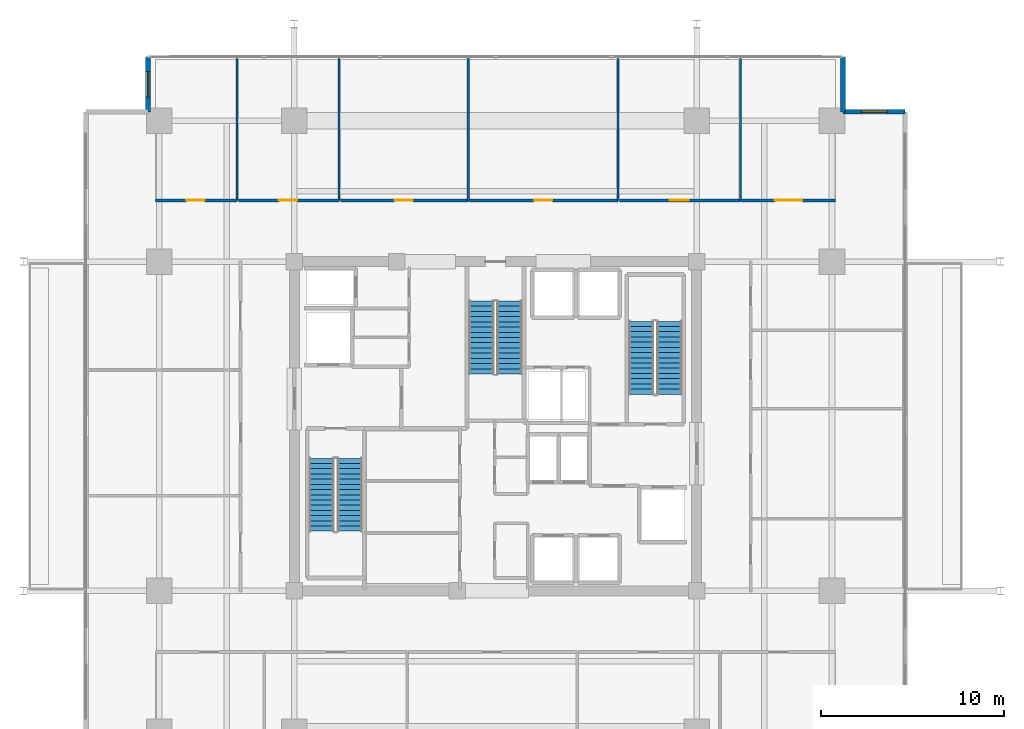
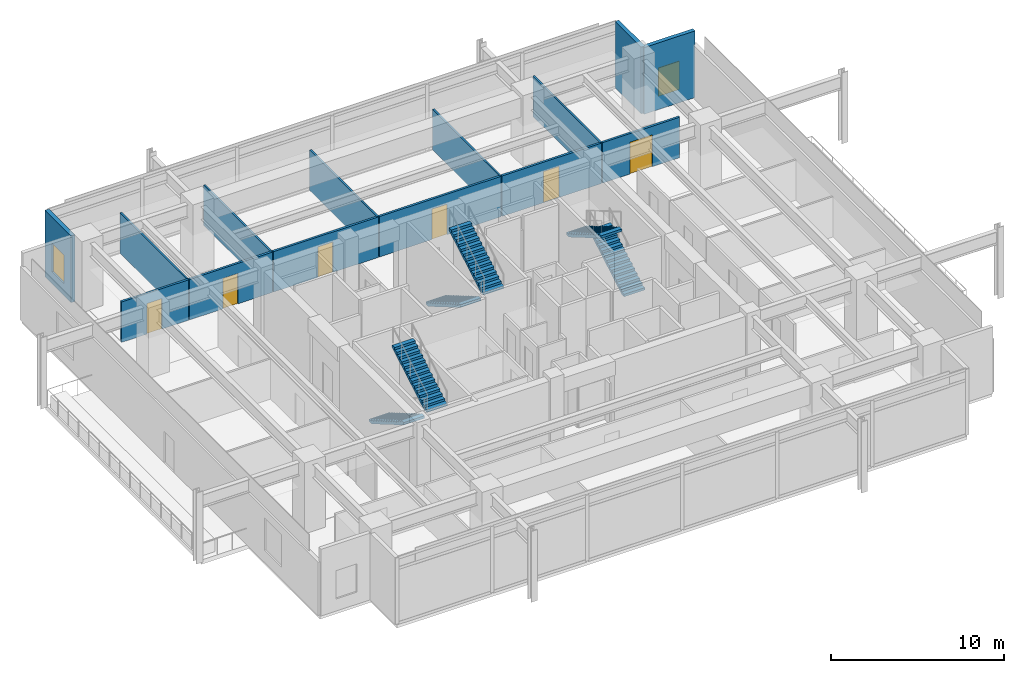
# One storey, part 15 of 19: 14 walls, 6 doors, 6 stair flights, 2 windows, 8 openings, 3 elements without a shape of their own.
"""IFC4 building model written with IfcOpenShell, lengths in metres."""

from ifc_helpers import new_model, si_unit, direction, frame, frame_2d, origin, place, context, subcontext, project, spatial, polyline, rectangle, outline, extrude, material, layer, layer_set, type_object, element, fill, aggregate, save


model = new_model("IFC4")

# Units and contexts
model_context = context("Model", 3, precision=1e-05, world=origin(), true_north=direction((0.0, 1.0)))
body_context = subcontext(model_context, "Body", "Model", "MODEL_VIEW")
ifc_project = project(units=[si_unit("LENGTHUNIT", "METRE"), si_unit("AREAUNIT", "SQUARE_METRE"), si_unit("VOLUMEUNIT", "CUBIC_METRE"), si_unit("PLANEANGLEUNIT", "RADIAN"), si_unit("MASSUNIT", "GRAM", prefix="KILO")], contexts=[model_context])

# Site, building, storey
site_placement = place(None, origin())
site = spatial("IfcSite", under=ifc_project, at=site_placement, CompositionType="ELEMENT")
building_placement = place(site_placement, origin())
building = spatial("IfcBuilding", under=site, at=building_placement, Name="Kovane Verandah Tower", CompositionType="ELEMENT")
storey_placement = place(building_placement, frame((0.0, 0.0, 184.39990234375)))
storey = spatial("IfcBuildingStorey", under=building, at=storey_placement, Name="L43", CompositionType="ELEMENT", Elevation=184.39990234375)

# Wall, opening, door
ifc_material_1 = material(Name="Fire-Rated Gypsum Stud Partition", Category="gypsum")
ifc_layer_1 = layer(ifc_material_1, 0.14990234375)
ifc_layer_set_1 = layer_set([ifc_layer_1], Name="Fire-Rated Gypsum Stud Partition")
wall_type_1 = type_object("IfcWallType", Name="WL-COR-150", PredefinedType="PARTITIONING", material=ifc_layer_set_1)
wall_1_placement = place(storey_placement, frame((21.39990234375, 39.85009765625, 0.0), z_axis=(0.0, 0.0, 1.0), x_axis=(1.0, 0.0, 0.0)))
wall_1 = element("IfcWall", 1, at=wall_1_placement, inside=storey, type_object=wall_type_1, Name="L43 Sky-Garden Botanical Co-Working Hall N1 Corridor Partition", PredefinedType="PARTITIONING", context=body_context, shape_type="SweptSolid", body=[
    extrude(rectangle(XDim=4.464111328125, YDim=0.14990234375, at=frame_2d((2.23193359375, 0.0))), origin(), (0.0, 0.0, 1.0), 2.85009765625),
])
opening_1_placement = place(wall_1_placement, frame((1.697021484375, 0.0, 0.0)))
opening_1 = element("IfcOpeningElement", 2, at=opening_1_placement, cuts=wall_1, Name="Opening DR-L43-022", PredefinedType="OPENING", context=body_context, shape_type="SweptSolid", body=[
    extrude(rectangle(XDim=1.0, YDim=2.14990234375, at=frame_2d((0.5, 1.074951171875))), frame((0.0, 0.074951171875, 0.0), z_axis=(0.0, -1.0, 0.0), x_axis=(1.0, 0.0, 0.0)), (0.0, 0.0, 1.0), 0.14990234375),
])
ifc_material_2 = material(Name="FSC Spotted-Gum Timber Fire-Rated Office Door", Category="wood")
door_type_1 = type_object("IfcDoorType", Name="DR-OFF-1000", OperationType="SINGLE_SWING_LEFT", PredefinedType="DOOR", material=ifc_material_2)
door_1_placement = place(opening_1_placement, origin())
door_1 = element("IfcDoor", 3, at=door_1_placement, inside=storey, type_object=door_type_1, Name="L43 Sky-Garden Botanical Co-Working Hall N1 Entrance Door", OperationType="SINGLE_SWING_LEFT", OverallHeight=2.14990234375, OverallWidth=1.0, PredefinedType="DOOR", context=body_context, shape_type="SweptSolid", body=[
    extrude(rectangle(XDim=1.0, YDim=2.14990234375, at=frame_2d((0.5, 1.074951171875))), frame((0.0, 0.02490234375, 0.0), z_axis=(0.0, -1.0, 0.0), x_axis=(1.0, 0.0, 0.0)), (0.0, 0.0, 1.0), 0.050048828125),
])
fill(opening_1, door_1)

wall_2_placement = place(storey_placement, frame((25.93408203125, 39.85009765625, 0.0), z_axis=(0.0, 0.0, 1.0), x_axis=(1.0, 0.0, 0.0)))
wall_2 = element("IfcWall", 4, at=wall_2_placement, inside=storey, type_object=wall_type_1, Name="L43 Collaboration Hub N2 Corridor Partition", PredefinedType="PARTITIONING", context=body_context, shape_type="SweptSolid", body=[
    extrude(rectangle(XDim=5.510009765625, YDim=0.14990234375, at=frame_2d((2.7548828125, 0.0))), origin(), (0.0, 0.0, 1.0), 2.85009765625),
])
opening_2_placement = place(wall_2_placement, frame((2.219970703125, 0.0, 0.0)))
opening_2 = element("IfcOpeningElement", 5, at=opening_2_placement, cuts=wall_2, Name="Opening DR-L43-023", PredefinedType="OPENING", context=body_context, shape_type="SweptSolid", body=[
    extrude(rectangle(XDim=1.0, YDim=2.14990234375, at=frame_2d((0.5, 1.074951171875))), frame((0.0, 0.074951171875, 0.0), z_axis=(0.0, -1.0, 0.0), x_axis=(1.0, 0.0, 0.0)), (0.0, 0.0, 1.0), 0.14990234375),
])
door_2_placement = place(opening_2_placement, origin())
door_2 = element("IfcDoor", 6, at=door_2_placement, inside=storey, type_object=door_type_1, Name="L43 Collaboration Hub N2 Entrance Door", OperationType="SINGLE_SWING_RIGHT", OverallHeight=2.14990234375, OverallWidth=1.0, PredefinedType="DOOR", context=body_context, shape_type="SweptSolid", body=[
    extrude(rectangle(XDim=1.0, YDim=2.14990234375, at=frame_2d((0.5, 1.074951171875))), frame((0.0, 0.02490234375, 0.0), z_axis=(0.0, -1.0, 0.0), x_axis=(1.0, 0.0, 0.0)), (0.0, 0.0, 1.0), 0.050048828125),
])
fill(opening_2, door_2)

wall_3_placement = place(storey_placement, frame((31.513916015625, 39.85009765625, 0.0), z_axis=(0.0, 0.0, 1.0), x_axis=(1.0, 0.0, 0.0)))
wall_3 = element("IfcWall", 7, at=wall_3_placement, inside=storey, type_object=wall_type_1, Name="L43 Document and Print Room N3 Corridor Partition", PredefinedType="PARTITIONING", context=body_context, shape_type="SweptSolid", body=[
    extrude(rectangle(XDim=6.998046875, YDim=0.14990234375, at=frame_2d((3.4990234375, 0.0))), origin(), (0.0, 0.0, 1.0), 2.85009765625),
])
opening_3_placement = place(wall_3_placement, frame((2.964111328125, 0.0, 0.0)))
opening_3 = element("IfcOpeningElement", 8, at=opening_3_placement, cuts=wall_3, Name="Opening DR-L43-024", PredefinedType="OPENING", context=body_context, shape_type="SweptSolid", body=[
    extrude(rectangle(XDim=1.0, YDim=2.14990234375, at=frame_2d((0.5, 1.074951171875))), frame((0.0, 0.074951171875, 0.0), z_axis=(0.0, -1.0, 0.0), x_axis=(1.0, 0.0, 0.0)), (0.0, 0.0, 1.0), 0.14990234375),
])
door_3_placement = place(opening_3_placement, origin())
door_3 = element("IfcDoor", 9, at=door_3_placement, inside=storey, type_object=door_type_1, Name="L43 Document and Print Room N3 Entrance Door", OperationType="SINGLE_SWING_LEFT", OverallHeight=2.14990234375, OverallWidth=1.0, PredefinedType="DOOR", context=body_context, shape_type="SweptSolid", body=[
    extrude(rectangle(XDim=1.0, YDim=2.14990234375, at=frame_2d((0.5, 1.074951171875))), frame((0.0, 0.02490234375, 0.0), z_axis=(0.0, -1.0, 0.0), x_axis=(1.0, 0.0, 0.0)), (0.0, 0.0, 1.0), 0.050048828125),
])
fill(opening_3, door_3)

wall_4_placement = place(storey_placement, frame((38.58203125, 39.85009765625, 0.0), z_axis=(0.0, 0.0, 1.0), x_axis=(1.0, 0.0, 0.0)))
wall_4 = element("IfcWall", 10, at=wall_4_placement, inside=storey, type_object=wall_type_1, Name="L43 Open Plan Office N4 Corridor Partition", PredefinedType="PARTITIONING", context=body_context, shape_type="SweptSolid", body=[
    extrude(rectangle(XDim=8.114013671875, YDim=0.14990234375, at=frame_2d((4.05712890625, 0.0))), origin(), (0.0, 0.0, 1.0), 2.85009765625),
])
opening_4_placement = place(wall_4_placement, frame((3.52197265625, 0.0, 0.0)))
opening_4 = element("IfcOpeningElement", 11, at=opening_4_placement, cuts=wall_4, Name="Opening DR-L43-025", PredefinedType="OPENING", context=body_context, shape_type="SweptSolid", body=[
    extrude(rectangle(XDim=1.0, YDim=2.14990234375, at=frame_2d((0.5, 1.074951171875))), frame((0.0, 0.074951171875, 0.0), z_axis=(0.0, -1.0, 0.0), x_axis=(1.0, 0.0, 0.0)), (0.0, 0.0, 1.0), 0.14990234375),
])
door_4_placement = place(opening_4_placement, origin())
door_4 = element("IfcDoor", 12, at=door_4_placement, inside=storey, type_object=door_type_1, Name="L43 Open Plan Office N4 Entrance Door", OperationType="SINGLE_SWING_RIGHT", OverallHeight=2.14990234375, OverallWidth=1.0, PredefinedType="DOOR", context=body_context, shape_type="SweptSolid", body=[
    extrude(rectangle(XDim=1.0, YDim=2.14990234375, at=frame_2d((0.5, 1.074951171875))), frame((0.0, 0.02490234375, 0.0), z_axis=(0.0, -1.0, 0.0), x_axis=(1.0, 0.0, 0.0)), (0.0, 0.0, 1.0), 0.050048828125),
])
fill(opening_4, door_4)

wall_5_placement = place(storey_placement, frame((46.76611328125, 39.85009765625, 0.0), z_axis=(0.0, 0.0, 1.0), x_axis=(1.0, 0.0, 0.0)))
wall_5 = element("IfcWall", 13, at=wall_5_placement, inside=storey, type_object=wall_type_1, Name="L43 Executive Office N5 Corridor Partition", PredefinedType="PARTITIONING", context=body_context, shape_type="SweptSolid", body=[
    extrude(rectangle(XDim=6.6259765625, YDim=0.14990234375, at=frame_2d((3.31298828125, 0.0))), origin(), (0.0, 0.0, 1.0), 2.85009765625),
])
opening_5_placement = place(wall_5_placement, frame((2.7529296875, 0.0, 0.0)))
opening_5 = element("IfcOpeningElement", 14, at=opening_5_placement, cuts=wall_5, Name="Opening DR-L43-026", PredefinedType="OPENING", context=body_context, shape_type="SweptSolid", body=[
    extrude(rectangle(XDim=1.050048828125, YDim=2.199951171875, at=frame_2d((0.52490234375, 1.10009765625))), frame((0.0, 0.074951171875, 0.0), z_axis=(0.0, -1.0, 0.0), x_axis=(1.0, 0.0, 0.0)), (0.0, 0.0, 1.0), 0.14990234375),
])
ifc_material_3 = material(Name="FSC Blackbutt Timber Fire-Rated Executive Door", Category="wood")
door_type_2 = type_object("IfcDoorType", Name="DR-EXEC-1050", OperationType="SINGLE_SWING_LEFT", PredefinedType="DOOR", material=ifc_material_3)
door_5_placement = place(opening_5_placement, origin())
door_5 = element("IfcDoor", 15, at=door_5_placement, inside=storey, type_object=door_type_2, Name="L43 Executive Office N5 Entrance Door", OperationType="SINGLE_SWING_LEFT", OverallHeight=2.199951171875, OverallWidth=1.050048828125, PredefinedType="DOOR", context=body_context, shape_type="SweptSolid", body=[
    extrude(rectangle(XDim=1.050048828125, YDim=2.199951171875, at=frame_2d((0.52490234375, 1.10009765625))), frame((0.0, 0.02490234375, 0.0), z_axis=(0.0, -1.0, 0.0), x_axis=(1.0, 0.0, 0.0)), (0.0, 0.0, 1.0), 0.050048828125),
])
fill(opening_5, door_5)

wall_6_placement = place(storey_placement, frame((53.4619140625, 39.85009765625, 0.0), z_axis=(0.0, 0.0, 1.0), x_axis=(1.0, 0.0, 0.0)))
wall_6 = element("IfcWall", 16, at=wall_6_placement, inside=storey, type_object=wall_type_1, Name="L43 Client Boardroom N6 Corridor Partition", PredefinedType="PARTITIONING", context=body_context, shape_type="SweptSolid", body=[
    extrude(rectangle(XDim=5.13818359375, YDim=0.14990234375, at=frame_2d((2.569091796875, 0.0))), origin(), (0.0, 0.0, 1.0), 2.85009765625),
])
opening_6_placement = place(wall_6_placement, frame((1.819091796875, 0.0, 0.0)))
opening_6 = element("IfcOpeningElement", 17, at=opening_6_placement, cuts=wall_6, Name="Opening DR-L43-027", PredefinedType="OPENING", context=body_context, shape_type="SweptSolid", body=[
    extrude(rectangle(XDim=1.5, YDim=2.25, at=frame_2d((0.75, 1.125))), frame((0.0, 0.074951171875, 0.0), z_axis=(0.0, -1.0, 0.0), x_axis=(1.0, 0.0, 0.0)), (0.0, 0.0, 1.0), 0.14990234375),
])
ifc_material_4 = material(Name="Glazed Timber Fire-Rated Double Door", Category="wood")
door_type_3 = type_object("IfcDoorType", Name="DR-CONF-1500", OperationType="DOUBLE_DOOR_SINGLE_SWING", PredefinedType="DOOR", material=ifc_material_4)
door_6_placement = place(opening_6_placement, origin())
door_6 = element("IfcDoor", 18, at=door_6_placement, inside=storey, type_object=door_type_3, Name="L43 Client Boardroom N6 Entrance Door", OperationType="DOUBLE_DOOR_SINGLE_SWING", OverallHeight=2.25, OverallWidth=1.5, PredefinedType="DOOR", context=body_context, shape_type="SweptSolid", body=[
    extrude(rectangle(XDim=1.5, YDim=2.25, at=frame_2d((0.75, 1.125))), frame((0.0, 0.02490234375, 0.0), z_axis=(0.0, -1.0, 0.0), x_axis=(1.0, 0.0, 0.0)), (0.0, 0.0, 1.0), 0.050048828125),
])
fill(opening_6, door_6)

# Walls
ifc_material_5 = material(Name="Acoustic Fire-Rated Gypsum Partition", Category="gypsum")
ifc_layer_2 = layer(ifc_material_5, 0.1201171875)
ifc_layer_set_2 = layer_set([ifc_layer_2], Name="Acoustic Fire-Rated Gypsum Partition")
wall_type_2 = type_object("IfcWallType", Name="WL-PART-120", PredefinedType="PARTITIONING", material=ifc_layer_set_2)
for number, where, z_axis, x_axis, name in (
    (19, (25.864013671875, 39.85009765625, 0.0), (0.0, 0.0, 1.0), (0.0, 1.0, 0.0), "L43 Sky-Garden Botanical Co-Working Hall N1 Dividing Partition"),
    (20, (31.444091796875, 39.85009765625, 0.0), (0.0, 0.0, 1.0), (0.0, 1.0, 0.0), "L43 Collaboration Hub N2 Dividing Partition"),
    (21, (38.511962890625, 39.85009765625, 0.0), (0.0, 0.0, 1.0), (0.0, 1.0, 0.0), "L43 Document and Print Room N3 Dividing Partition"),
    (22, (46.696044921875, 39.85009765625, 0.0), (0.0, 0.0, 1.0), (0.0, 1.0, 0.0), "L43 Open Plan Office N4 Dividing Partition"),
    (23, (53.39208984375, 39.85009765625, 0.0), (0.0, 0.0, 1.0), (0.0, 1.0, 0.0), "L43 Executive Office N5 Dividing Partition"),
):
    element("IfcWall", number, at=place(storey_placement, frame(where, z_axis=z_axis, x_axis=x_axis)), inside=storey, type_object=wall_type_2, Name=name, PredefinedType="PARTITIONING", context=body_context, shape_type="SweptSolid", body=[
        extrude(rectangle(XDim=7.75, YDim=0.1201171875, at=frame_2d((3.875, 0.0))), origin(), (0.0, 0.0, 1.0), 2.85009765625),
    ])

# Wall, opening, window
ifc_material_6 = material(Name="Concrete C45/55 Insulated Spandrel Wall", Category="concrete")
ifc_layer_3 = layer(ifc_material_6, 0.260009765625)
ifc_layer_set_3 = layer_set([ifc_layer_3], Name="Concrete C45/55 Insulated Spandrel Wall")
wall_type_3 = type_object("IfcWallType", Name="WL-SPANDREL-260", PredefinedType="PARAPET", material=ifc_layer_set_3)
wall_7_placement = place(storey_placement, frame((62.39990234375, 44.699951171875, 0.0), z_axis=(0.0, 0.0, 1.0), x_axis=(-1.0, 0.0, 0.0)))
wall_7 = element("IfcWall", 24, at=wall_7_placement, inside=storey, type_object=wall_type_3, Name="L43 NE Notch Cheek Wall 1", PredefinedType="PARAPET", context=body_context, shape_type="SweptSolid", body=[
    extrude(rectangle(XDim=3.39990234375, YDim=0.260009765625, at=frame_2d((1.699951171875, 0.0))), origin(), (0.0, 0.0, 1.0), 4.7001953125),
])
opening_7_placement = place(wall_7_placement, frame((1.0, 0.0, 0.85009765625)))
opening_7 = element("IfcOpeningElement", 25, at=opening_7_placement, cuts=wall_7, Name="Opening W-01", PredefinedType="OPENING", context=body_context, shape_type="SweptSolid", body=[
    extrude(rectangle(XDim=1.39990234375, YDim=2.0, at=frame_2d((0.699951171875, 1.0))), frame((0.0, 0.1298828125, 0.0), z_axis=(0.0, -1.0, 0.0), x_axis=(1.0, 0.0, 0.0)), (0.0, 0.0, 1.0), 0.260009765625),
])
ifc_material_7 = material(Name="Clear Low-E Laminated Double Glazing in Anodised Frame", Category="glass")
window_type = type_object("IfcWindowType", Name="WN-OPER-1400x2000", PartitioningType="SINGLE_PANEL", PredefinedType="WINDOW", material=ifc_material_7)
window_1_placement = place(opening_7_placement, origin())
window_1 = element("IfcWindow", 26, at=window_1_placement, inside=storey, type_object=window_type, Name="L43 NE Re-Entrant Corner Operable Window", OverallHeight=2.0, OverallWidth=1.39990234375, PartitioningType="SINGLE_PANEL", PredefinedType="WINDOW", context=body_context, shape_type="SweptSolid", body=[
    extrude(rectangle(XDim=1.39990234375, YDim=2.0, at=frame_2d((0.699951171875, 1.0))), frame((0.0, 0.030029296875, 0.0), z_axis=(0.0, -1.0, 0.0), x_axis=(1.0, 0.0, 0.0)), (0.0, 0.0, 1.0), 0.06005859375),
])
fill(opening_7, window_1)

# Wall
wall_8_placement = place(storey_placement, frame((59.0, 44.699951171875, 0.0), z_axis=(0.0, 0.0, 1.0), x_axis=(0.0, 1.0, 0.0)))
element("IfcWall", 27, at=wall_8_placement, inside=storey, type_object=wall_type_3, Name="L43 NE Notch Cheek Wall 2", PredefinedType="PARAPET", context=body_context, shape_type="SweptSolid", body=[
    extrude(rectangle(XDim=3.0, YDim=0.260009765625, at=frame_2d((1.5, 0.0))), origin(), (0.0, 0.0, 1.0), 4.7001953125),
])

# Wall, opening, window
wall_9_placement = place(storey_placement, frame((21.0, 47.699951171875, 0.0), z_axis=(0.0, 0.0, 1.0), x_axis=(0.0, -1.0, 0.0)))
wall_9 = element("IfcWall", 28, at=wall_9_placement, inside=storey, type_object=wall_type_3, Name="L43 NW Notch Cheek Wall 1", PredefinedType="PARAPET", context=body_context, shape_type="SweptSolid", body=[
    extrude(rectangle(XDim=3.0, YDim=0.260009765625, at=frame_2d((1.5, 0.0))), origin(), (0.0, 0.0, 1.0), 4.7001953125),
])
opening_8_placement = place(wall_9_placement, frame((0.800048828125, 0.0, 0.85009765625)))
opening_8 = element("IfcOpeningElement", 29, at=opening_8_placement, cuts=wall_9, Name="Opening W-01", PredefinedType="OPENING", context=body_context, shape_type="SweptSolid", body=[
    extrude(rectangle(XDim=1.39990234375, YDim=2.0, at=frame_2d((0.699951171875, 1.0))), frame((0.0, 0.1298828125, 0.0), z_axis=(0.0, -1.0, 0.0), x_axis=(1.0, 0.0, 0.0)), (0.0, 0.0, 1.0), 0.260009765625),
])
window_2_placement = place(opening_8_placement, origin())
window_2 = element("IfcWindow", 30, at=window_2_placement, inside=storey, type_object=window_type, Name="L43 NW Re-Entrant Corner Operable Window", OverallHeight=2.0, OverallWidth=1.39990234375, PartitioningType="SINGLE_PANEL", PredefinedType="WINDOW", context=body_context, shape_type="SweptSolid", body=[
    extrude(rectangle(XDim=1.39990234375, YDim=2.0, at=frame_2d((0.699951171875, 1.0))), frame((0.0, 0.030029296875, 0.0), z_axis=(0.0, -1.0, 0.0), x_axis=(1.0, 0.0, 0.0)), (0.0, 0.0, 1.0), 0.06005859375),
])
fill(opening_8, window_2)

# Stair, stair flights
ifc_material_8 = material(Name="Concrete C45/55", Category="concrete")
stair_type = type_object("IfcStairType", Name="ST-CORE-1380", PredefinedType="HALF_TURN_STAIR", material=ifc_material_8)
stair_1_placement = place(storey_placement, origin())
stair_1 = element("IfcStair", 31, at=stair_1_placement, inside=storey, type_object=stair_type, Name="L43 Exit Stair ST-01", PredefinedType="HALF_TURN_STAIR")
stair_flight_type = type_object("IfcStairFlightType", Name="STF-CORE-1380", PredefinedType="STRAIGHT", material=ifc_material_8)
stair_flight_1_placement = place(storey_placement, frame((30.489990234375, 25.75, 0.0), z_axis=(0.0, 0.0, 1.0), x_axis=(0.0, -1.0, 0.0)))
stair_flight_1 = element("IfcStairFlight", 32, at=stair_flight_1_placement, type_object=stair_flight_type, Name="ST-01 flight 1", NumberOfRisers=15, NumberOfTreads=14, PredefinedType="STRAIGHT", RiserHeight=0.166666667, TreadLength=0.285, context=body_context, shape_type="SweptSolid", body=[
    extrude(outline(polyline([(0.0, 0.0), (0.0, 0.166748046875), (0.284912109375, 0.166748046875), (0.284912109375, 0.333251953125), (0.570068359375, 0.333251953125), (0.570068359375, 0.5), (0.85498046875, 0.5), (0.85498046875, 0.666748046875), (1.139892578125, 0.666748046875), (1.139892578125, 0.833251953125), (1.425048828125, 0.833251953125), (1.425048828125, 1.0), (1.7099609375, 1.0), (1.7099609375, 1.166748046875), (1.9951171875, 1.166748046875), (1.9951171875, 1.333251953125), (2.280029296875, 1.333251953125), (2.280029296875, 1.5), (2.56494140625, 1.5), (2.56494140625, 1.666748046875), (2.85009765625, 1.666748046875), (2.85009765625, 1.833251953125), (3.135009765625, 1.833251953125), (3.135009765625, 2.0), (3.419921875, 2.0), (3.419921875, 2.166748046875), (3.705078125, 2.166748046875), (3.705078125, 2.333251953125), (3.989990234375, 2.333251953125), (3.989990234375, 2.5), (3.989990234375, 2.15966796875), (0.296875, 0.0), (0.0, 0.0)])), frame((0.0, 0.68994140625, 0.0), z_axis=(0.0, -1.0, 0.0), x_axis=(1.0, 0.0, 0.0)), (0.0, 0.0, 1.0), 1.3798828125),
])
stair_flight_2_placement = place(storey_placement, frame((32.030029296875, 21.760009765625, 2.5), z_axis=(0.0, 0.0, 1.0), x_axis=(0.0, 1.0, 0.0)))
stair_flight_2 = element("IfcStairFlight", 33, at=stair_flight_2_placement, type_object=stair_flight_type, Name="ST-01 flight 2", NumberOfRisers=15, NumberOfTreads=14, PredefinedType="STRAIGHT", RiserHeight=0.166666667, TreadLength=0.285, context=body_context, shape_type="SweptSolid", body=[
    extrude(outline(polyline([(0.0, 0.0), (0.0, 0.166748046875), (0.284912109375, 0.166748046875), (0.284912109375, 0.333251953125), (0.570068359375, 0.333251953125), (0.570068359375, 0.5), (0.85498046875, 0.5), (0.85498046875, 0.666748046875), (1.139892578125, 0.666748046875), (1.139892578125, 0.833251953125), (1.425048828125, 0.833251953125), (1.425048828125, 1.0), (1.7099609375, 1.0), (1.7099609375, 1.166748046875), (1.9951171875, 1.166748046875), (1.9951171875, 1.333251953125), (2.280029296875, 1.333251953125), (2.280029296875, 1.5), (2.56494140625, 1.5), (2.56494140625, 1.666748046875), (2.85009765625, 1.666748046875), (2.85009765625, 1.833251953125), (3.135009765625, 1.833251953125), (3.135009765625, 2.0), (3.419921875, 2.0), (3.419921875, 2.166748046875), (3.705078125, 2.166748046875), (3.705078125, 2.333251953125), (3.989990234375, 2.333251953125), (3.989990234375, 2.5), (3.989990234375, 2.15966796875), (0.296875, 0.0), (0.0, 0.0)])), frame((0.0, 0.68994140625, 0.0), z_axis=(0.0, -1.0, 0.0), x_axis=(1.0, 0.0, 0.0)), (0.0, 0.0, 1.0), 1.3798828125),
])
aggregate(stair_1, [stair_flight_1, stair_flight_2])

stair_2_placement = place(storey_placement, origin())
stair_2 = element("IfcStair", 34, at=stair_2_placement, inside=storey, type_object=stair_type, Name="L43 Exit Stair ST-02", PredefinedType="HALF_TURN_STAIR")
stair_flight_3_placement = place(storey_placement, frame((49.510009765625, 29.25, 0.0), z_axis=(0.0, 0.0, 1.0), x_axis=(0.0, 1.0, 0.0)))
stair_flight_3 = element("IfcStairFlight", 35, at=stair_flight_3_placement, type_object=stair_flight_type, Name="ST-02 flight 1", NumberOfRisers=15, NumberOfTreads=14, PredefinedType="STRAIGHT", RiserHeight=0.166666667, TreadLength=0.285, context=body_context, shape_type="SweptSolid", body=[
    extrude(outline(polyline([(0.0, 0.0), (0.0, 0.166748046875), (0.284912109375, 0.166748046875), (0.284912109375, 0.333251953125), (0.570068359375, 0.333251953125), (0.570068359375, 0.5), (0.85498046875, 0.5), (0.85498046875, 0.666748046875), (1.139892578125, 0.666748046875), (1.139892578125, 0.833251953125), (1.425048828125, 0.833251953125), (1.425048828125, 1.0), (1.7099609375, 1.0), (1.7099609375, 1.166748046875), (1.9951171875, 1.166748046875), (1.9951171875, 1.333251953125), (2.280029296875, 1.333251953125), (2.280029296875, 1.5), (2.56494140625, 1.5), (2.56494140625, 1.666748046875), (2.85009765625, 1.666748046875), (2.85009765625, 1.833251953125), (3.135009765625, 1.833251953125), (3.135009765625, 2.0), (3.419921875, 2.0), (3.419921875, 2.166748046875), (3.705078125, 2.166748046875), (3.705078125, 2.333251953125), (3.989990234375, 2.333251953125), (3.989990234375, 2.5), (3.989990234375, 2.15966796875), (0.296875, 0.0), (0.0, 0.0)])), frame((0.0, 0.68994140625, 0.0), z_axis=(0.0, -1.0, 0.0), x_axis=(1.0, 0.0, 0.0)), (0.0, 0.0, 1.0), 1.3798828125),
])
stair_flight_4_placement = place(storey_placement, frame((47.969970703125, 33.239990234375, 2.5), z_axis=(0.0, 0.0, 1.0), x_axis=(0.0, -1.0, 0.0)))
stair_flight_4 = element("IfcStairFlight", 36, at=stair_flight_4_placement, type_object=stair_flight_type, Name="ST-02 flight 2", NumberOfRisers=15, NumberOfTreads=14, PredefinedType="STRAIGHT", RiserHeight=0.166666667, TreadLength=0.285, context=body_context, shape_type="SweptSolid", body=[
    extrude(outline(polyline([(0.0, 0.0), (0.0, 0.166748046875), (0.284912109375, 0.166748046875), (0.284912109375, 0.333251953125), (0.570068359375, 0.333251953125), (0.570068359375, 0.5), (0.85498046875, 0.5), (0.85498046875, 0.666748046875), (1.139892578125, 0.666748046875), (1.139892578125, 0.833251953125), (1.425048828125, 0.833251953125), (1.425048828125, 1.0), (1.7099609375, 1.0), (1.7099609375, 1.166748046875), (1.9951171875, 1.166748046875), (1.9951171875, 1.333251953125), (2.280029296875, 1.333251953125), (2.280029296875, 1.5), (2.56494140625, 1.5), (2.56494140625, 1.666748046875), (2.85009765625, 1.666748046875), (2.85009765625, 1.833251953125), (3.135009765625, 1.833251953125), (3.135009765625, 2.0), (3.419921875, 2.0), (3.419921875, 2.166748046875), (3.705078125, 2.166748046875), (3.705078125, 2.333251953125), (3.989990234375, 2.333251953125), (3.989990234375, 2.5), (3.989990234375, 2.15966796875), (0.296875, 0.0), (0.0, 0.0)])), frame((0.0, 0.68994140625, 0.0), z_axis=(0.0, -1.0, 0.0), x_axis=(1.0, 0.0, 0.0)), (0.0, 0.0, 1.0), 1.3798828125),
])
aggregate(stair_2, [stair_flight_3, stair_flight_4])

stair_3_placement = place(storey_placement, origin())
stair_3 = element("IfcStair", 37, at=stair_3_placement, inside=storey, type_object=stair_type, Name="L43 Exit Stair ST-03", PredefinedType="HALF_TURN_STAIR")
stair_flight_5_placement = place(storey_placement, frame((39.22998046875, 34.35009765625, 0.0), z_axis=(0.0, 0.0, 1.0), x_axis=(0.0, -1.0, 0.0)))
stair_flight_5 = element("IfcStairFlight", 38, at=stair_flight_5_placement, type_object=stair_flight_type, Name="ST-03 flight 1", NumberOfRisers=15, NumberOfTreads=14, PredefinedType="STRAIGHT", RiserHeight=0.166666667, TreadLength=0.285, context=body_context, shape_type="SweptSolid", body=[
    extrude(outline(polyline([(0.0, 0.0), (0.0, 0.166748046875), (0.284912109375, 0.166748046875), (0.284912109375, 0.333251953125), (0.570068359375, 0.333251953125), (0.570068359375, 0.5), (0.85498046875, 0.5), (0.85498046875, 0.666748046875), (1.139892578125, 0.666748046875), (1.139892578125, 0.833251953125), (1.425048828125, 0.833251953125), (1.425048828125, 1.0), (1.7099609375, 1.0), (1.7099609375, 1.166748046875), (1.9951171875, 1.166748046875), (1.9951171875, 1.333251953125), (2.280029296875, 1.333251953125), (2.280029296875, 1.5), (2.56494140625, 1.5), (2.56494140625, 1.666748046875), (2.85009765625, 1.666748046875), (2.85009765625, 1.833251953125), (3.135009765625, 1.833251953125), (3.135009765625, 2.0), (3.419921875, 2.0), (3.419921875, 2.166748046875), (3.705078125, 2.166748046875), (3.705078125, 2.333251953125), (3.989990234375, 2.333251953125), (3.989990234375, 2.5), (3.989990234375, 2.15966796875), (0.296875, 0.0), (0.0, 0.0)])), frame((0.0, 0.68994140625, 0.0), z_axis=(0.0, -1.0, 0.0), x_axis=(1.0, 0.0, 0.0)), (0.0, 0.0, 1.0), 1.3798828125),
])
stair_flight_6_placement = place(storey_placement, frame((40.77001953125, 30.360107421875, 2.5), z_axis=(0.0, 0.0, 1.0), x_axis=(0.0, 1.0, 0.0)))
stair_flight_6 = element("IfcStairFlight", 39, at=stair_flight_6_placement, type_object=stair_flight_type, Name="ST-03 flight 2", NumberOfRisers=15, NumberOfTreads=14, PredefinedType="STRAIGHT", RiserHeight=0.166666667, TreadLength=0.285, context=body_context, shape_type="SweptSolid", body=[
    extrude(outline(polyline([(0.0, 0.0), (0.0, 0.166748046875), (0.284912109375, 0.166748046875), (0.284912109375, 0.333251953125), (0.570068359375, 0.333251953125), (0.570068359375, 0.5), (0.85498046875, 0.5), (0.85498046875, 0.666748046875), (1.139892578125, 0.666748046875), (1.139892578125, 0.833251953125), (1.425048828125, 0.833251953125), (1.425048828125, 1.0), (1.7099609375, 1.0), (1.7099609375, 1.166748046875), (1.9951171875, 1.166748046875), (1.9951171875, 1.333251953125), (2.280029296875, 1.333251953125), (2.280029296875, 1.5), (2.56494140625, 1.5), (2.56494140625, 1.666748046875), (2.85009765625, 1.666748046875), (2.85009765625, 1.833251953125), (3.135009765625, 1.833251953125), (3.135009765625, 2.0), (3.419921875, 2.0), (3.419921875, 2.166748046875), (3.705078125, 2.166748046875), (3.705078125, 2.333251953125), (3.989990234375, 2.333251953125), (3.989990234375, 2.5), (3.989990234375, 2.15966796875), (0.296875, 0.0), (0.0, 0.0)])), frame((0.0, 0.68994140625, 0.0), z_axis=(0.0, -1.0, 0.0), x_axis=(1.0, 0.0, 0.0)), (0.0, 0.0, 1.0), 1.3798828125),
])
aggregate(stair_3, [stair_flight_5, stair_flight_6])

save(model, "model.ifc")
